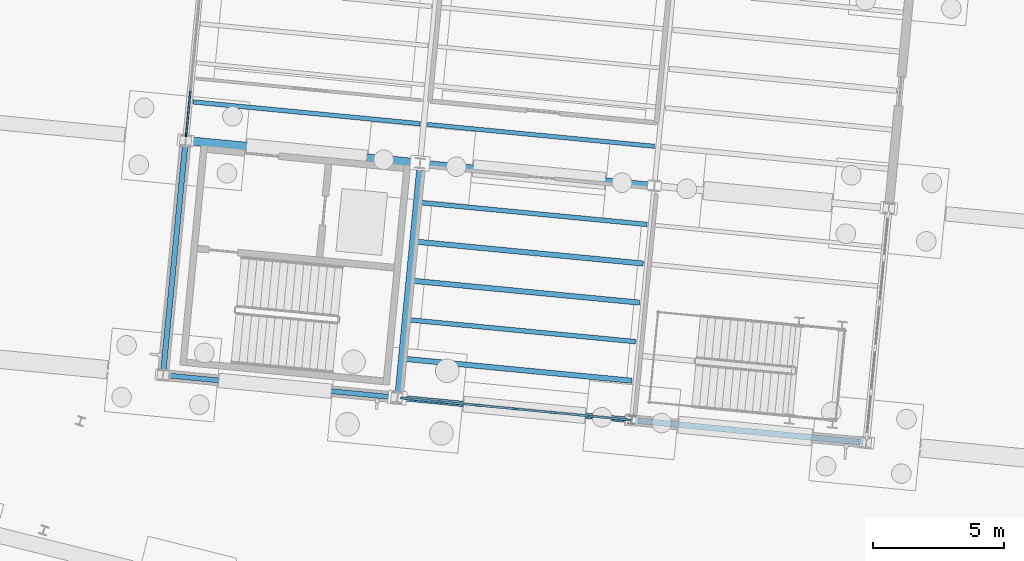
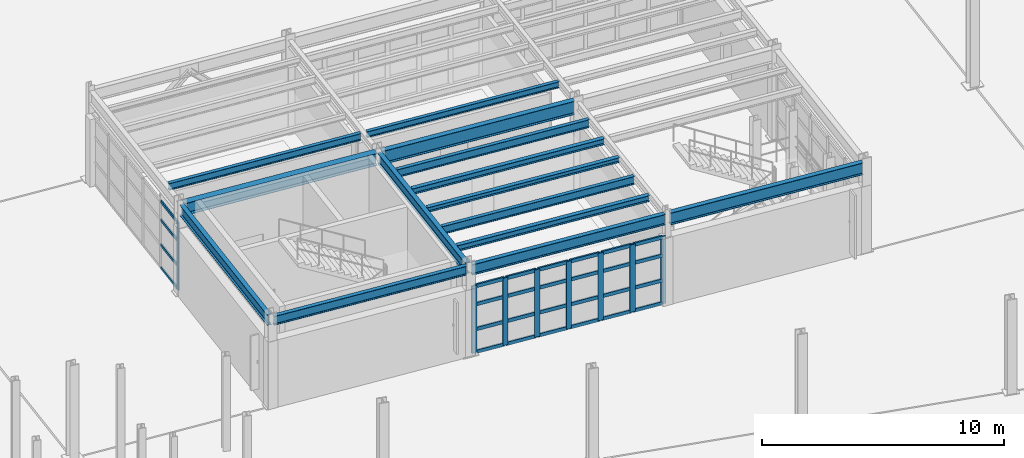
# One storey, part 48 of 108: 36 members, 14 beams, 2 elements without a shape of their own.
"""IFC4 building model written with IfcOpenShell, lengths in metres."""

from ifc_helpers import new_model, si_unit, direction, frame, origin, origin_2d, place, context, subcontext, project, spatial, rectangle, i_section, extrude, material, layer, layer_set, material_profile, profile_set, type_object, element, aggregate, save


model = new_model("IFC4")

# Units and contexts
model_context = context("Model", 3, precision=1e-05, world=origin(), true_north=direction((0.0, 1.0)))
body_context = subcontext(model_context, "Body", "Model", "MODEL_VIEW")
ifc_project = project(units=[si_unit("LENGTHUNIT", "METRE"), si_unit("AREAUNIT", "SQUARE_METRE"), si_unit("VOLUMEUNIT", "CUBIC_METRE"), si_unit("PLANEANGLEUNIT", "RADIAN"), si_unit("MASSUNIT", "GRAM", prefix="KILO")], contexts=[model_context])

# Site, building, storey
site_placement = place(None, origin())
site = spatial("IfcSite", under=ifc_project, at=site_placement, CompositionType="ELEMENT")
building_placement = place(site_placement, origin())
building = spatial("IfcBuilding", under=site, at=building_placement, Name="Vireo Bluff Cable Station", CompositionType="ELEMENT")
storey_placement = place(building_placement, origin())
storey = spatial("IfcBuildingStorey", under=building, at=storey_placement, Name="L00", CompositionType="ELEMENT", Elevation=0.0)

# Beam
ifc_material_1 = material(Name="Steel ASTM A992 Gr. 50", Category="steel")
ifc_material_profile_1 = material_profile(ifc_material_1, i_section(OverallWidth=0.214111328125, OverallDepth=0.549072265625, WebThickness=0.0146484375, FlangeThickness=0.023681640625, FilletRadius=0.012939453125, at=origin_2d()), Name="W21X93")
ifc_profile_set_1 = profile_set([ifc_material_profile_1], Name="Steel ASTM A992 Gr. 50")
beam_type_1 = type_object("IfcBeamType", Name="BM-W21X93", PredefinedType="BEAM", material=ifc_profile_set_1)
beam_1_placement = place(storey_placement, frame((76.708251953125, 66.2607421875, 4.265380859375), z_axis=(0.095844105487, 0.995396356957, 0.0), x_axis=(-0.995396356957, 0.095844105487, 0.0)))
element("IfcBeam", 1, at=beam_1_placement, inside=storey, type_object=beam_type_1, Name="V3 L00 beam 615", PredefinedType="BEAM", context=body_context, shape_type="SweptSolid", body=[
    extrude(i_section(OverallWidth=0.214111328125, OverallDepth=0.549072265625, WebThickness=0.0146484375, FlangeThickness=0.023681640625, FilletRadius=0.012939453125, at=origin_2d()), origin(), (0.0, 0.0, 1.0), 8.760009765625),
])

# Curtain wall, member
ifc_material_2 = material(Name="Anodized Aluminium 6063-T6", Category="aluminium")
ifc_layer_1 = layer(ifc_material_2, 0.179931640625, Name="Anodized Aluminium 6063-T6")
ifc_layer_set_1 = layer_set([ifc_layer_1], Name="Anodized Aluminium 6063-T6")
curtain_wall_type_1 = type_object("IfcCurtainWallType", Name="CW-UNIT-1650", PredefinedType="USERDEFINED", material=ifc_layer_set_1)
curtain_wall_1_placement = place(storey_placement, origin())
curtain_wall_1 = element("IfcCurtainWall", 2, at=curtain_wall_1_placement, inside=storey, type_object=curtain_wall_type_1, Name="V3 L00 west curtain wall CW-068", ObjectType="UNITISED CURTAIN WALL", PredefinedType="USERDEFINED")
ifc_material_profile_2 = material_profile(ifc_material_2, rectangle(XDim=0.06494140625, YDim=0.179931640625, at=origin_2d()), Name="ALU-M-65X180")
ifc_profile_set_2 = profile_set([ifc_material_profile_2], Name="Anodized Aluminium 6063-T6")
member_type_1 = type_object("IfcMemberType", Name="CWM-01", PredefinedType="MULLION", material=ifc_profile_set_2)
member_1_placement = place(storey_placement, frame((68.6240234375, 76.204345703125, 0.0), z_axis=(0.0, 0.0, 1.0), x_axis=(-0.995396199521, 0.095845740533, 0.0)))
member_1 = element("IfcMember", 3, at=member_1_placement, type_object=member_type_1, Name="CW-068 mullion 1", PredefinedType="MULLION", context=body_context, shape_type="SweptSolid", body=[
    extrude(rectangle(XDim=0.06494140625, YDim=0.179931640625, at=origin_2d()), origin(), (0.0, 0.0, 1.0), 3.39990234375),
])

# Curtain wall, members
ifc_layer_2 = layer(ifc_material_2, 0.179931640625, Name="Anodized Aluminium 6063-T6")
ifc_layer_set_2 = layer_set([ifc_layer_2], Name="Anodized Aluminium 6063-T6")
curtain_wall_type_2 = type_object("IfcCurtainWallType", Name="CW-UNIT-1500", PredefinedType="USERDEFINED", material=ifc_layer_set_2)
curtain_wall_2_placement = place(storey_placement, origin())
curtain_wall_2 = element("IfcCurtainWall", 4, at=curtain_wall_2_placement, inside=storey, type_object=curtain_wall_type_2, Name="V3 L00 south curtain wall CW-067", ObjectType="UNITISED CURTAIN WALL", PredefinedType="USERDEFINED")
ifc_material_profile_3 = material_profile(ifc_material_2, rectangle(XDim=0.080078125, YDim=0.239990234375, at=origin_2d()), Name="ALU-M-80X240")
ifc_profile_set_3 = profile_set([ifc_material_profile_3], Name="Anodized Aluminium 6063-T6")
member_type_2 = type_object("IfcMemberType", Name="CWM-04", PredefinedType="MULLION", material=ifc_profile_set_3)
member_2_placement = place(storey_placement, frame((85.487060546875, 65.294921875, 0.0), z_axis=(0.0, 0.0, 1.0), x_axis=(-0.09584572422, -0.995396201092, 0.0)))
member_2 = element("IfcMember", 5, at=member_2_placement, type_object=member_type_2, Name="CW-067 mullion 1", PredefinedType="MULLION", context=body_context, shape_type="SweptSolid", body=[
    extrude(rectangle(XDim=0.080078125, YDim=0.239990234375, at=origin_2d()), origin(), (0.0, 0.0, 1.0), 3.39990234375),
])
member_3_placement = place(storey_placement, frame((84.089111328125, 65.429443359375, 0.0), z_axis=(0.0, 0.0, 1.0), x_axis=(-0.09584572422, -0.995396201092, 0.0)))
member_3 = element("IfcMember", 6, at=member_3_placement, type_object=member_type_2, Name="CW-067 mullion 2", PredefinedType="MULLION", context=body_context, shape_type="SweptSolid", body=[
    extrude(rectangle(XDim=0.080078125, YDim=0.239990234375, at=origin_2d()), origin(), (0.0, 0.0, 1.0), 3.39990234375),
])
member_4_placement = place(storey_placement, frame((82.6513671875, 65.56787109375, 0.0), z_axis=(0.0, 0.0, 1.0), x_axis=(-0.09584572422, -0.995396201092, 0.0)))
member_4 = element("IfcMember", 7, at=member_4_placement, type_object=member_type_2, Name="CW-067 mullion 3", PredefinedType="MULLION", context=body_context, shape_type="SweptSolid", body=[
    extrude(rectangle(XDim=0.080078125, YDim=0.239990234375, at=origin_2d()), origin(), (0.0, 0.0, 1.0), 3.39990234375),
])
member_5_placement = place(storey_placement, frame((81.2138671875, 65.706298828125, 0.0), z_axis=(0.0, 0.0, 1.0), x_axis=(-0.09584572422, -0.995396201092, 0.0)))
member_5 = element("IfcMember", 8, at=member_5_placement, type_object=member_type_2, Name="CW-067 mullion 4", PredefinedType="MULLION", context=body_context, shape_type="SweptSolid", body=[
    extrude(rectangle(XDim=0.080078125, YDim=0.239990234375, at=origin_2d()), origin(), (0.0, 0.0, 1.0), 3.39990234375),
])
member_6_placement = place(storey_placement, frame((79.776123046875, 65.8447265625, 0.0), z_axis=(0.0, 0.0, 1.0), x_axis=(-0.09584572422, -0.995396201092, 0.0)))
member_6 = element("IfcMember", 9, at=member_6_placement, type_object=member_type_2, Name="CW-067 mullion 5", PredefinedType="MULLION", context=body_context, shape_type="SweptSolid", body=[
    extrude(rectangle(XDim=0.080078125, YDim=0.239990234375, at=origin_2d()), origin(), (0.0, 0.0, 1.0), 3.39990234375),
])
member_7_placement = place(storey_placement, frame((78.33837890625, 65.983154296875, 0.0), z_axis=(0.0, 0.0, 1.0), x_axis=(-0.09584572422, -0.995396201092, 0.0)))
member_7 = element("IfcMember", 10, at=member_7_placement, type_object=member_type_2, Name="CW-067 mullion 6", PredefinedType="MULLION", context=body_context, shape_type="SweptSolid", body=[
    extrude(rectangle(XDim=0.080078125, YDim=0.239990234375, at=origin_2d()), origin(), (0.0, 0.0, 1.0), 3.39990234375),
])
member_8_placement = place(storey_placement, frame((76.9404296875, 66.11767578125, 0.0), z_axis=(0.0, 0.0, 1.0), x_axis=(-0.09584572422, -0.995396201092, 0.0)))
member_8 = element("IfcMember", 11, at=member_8_placement, type_object=member_type_2, Name="CW-067 mullion 7", PredefinedType="MULLION", context=body_context, shape_type="SweptSolid", body=[
    extrude(rectangle(XDim=0.080078125, YDim=0.239990234375, at=origin_2d()), origin(), (0.0, 0.0, 1.0), 3.39990234375),
])

# Member
ifc_material_profile_4 = material_profile(ifc_material_2, rectangle(XDim=0.06494140625, YDim=0.139892578125, at=origin_2d()), Name="ALU-T-65X140")
ifc_profile_set_4 = profile_set([ifc_material_profile_4], Name="Anodized Aluminium 6063-T6")
member_type_3 = type_object("IfcMemberType", Name="CWT-01", PredefinedType="USERDEFINED", material=ifc_profile_set_4)
member_9_placement = place(storey_placement, frame((68.627197265625, 76.236572265625, 0.032470703125), z_axis=(0.095735244762, 0.995406832863, 0.0), x_axis=(-0.995406832863, 0.095735244762, 0.0)))
member_9 = element("IfcMember", 12, at=member_9_placement, type_object=member_type_3, Name="CW-068 transom 1.1", ObjectType="TRANSOM", PredefinedType="USERDEFINED", context=body_context, shape_type="SweptSolid", body=[
    extrude(rectangle(XDim=0.06494140625, YDim=0.139892578125, at=origin_2d()), origin(), (0.0, 0.0, 1.0), 1.629638671875),
])

member_10_placement = place(storey_placement, frame((68.627197265625, 76.236572265625, 1.18994140625), z_axis=(0.095735244762, 0.995406832863, 0.0), x_axis=(-0.995406832863, 0.095735244762, 0.0)))
member_10 = element("IfcMember", 13, at=member_10_placement, type_object=member_type_3, Name="CW-068 transom 1.2", ObjectType="TRANSOM", PredefinedType="USERDEFINED", context=body_context, shape_type="SweptSolid", body=[
    extrude(rectangle(XDim=0.06494140625, YDim=0.139892578125, at=origin_2d()), origin(), (0.0, 0.0, 1.0), 1.629638671875),
])

member_11_placement = place(storey_placement, frame((68.627197265625, 76.236572265625, 2.447998046875), z_axis=(0.095735244762, 0.995406832863, 0.0), x_axis=(-0.995406832863, 0.095735244762, 0.0)))
member_11 = element("IfcMember", 14, at=member_11_placement, type_object=member_type_3, Name="CW-068 transom 1.3", ObjectType="TRANSOM", PredefinedType="USERDEFINED", context=body_context, shape_type="SweptSolid", body=[
    extrude(rectangle(XDim=0.06494140625, YDim=0.139892578125, at=origin_2d()), origin(), (0.0, 0.0, 1.0), 1.629638671875),
])

member_12_placement = place(storey_placement, frame((68.627197265625, 76.236572265625, 3.367431640625), z_axis=(0.095735244762, 0.995406832863, 0.0), x_axis=(-0.995406832863, 0.095735244762, 0.0)))
member_12 = element("IfcMember", 15, at=member_12_placement, type_object=member_type_3, Name="CW-068 transom 1.4", ObjectType="TRANSOM", PredefinedType="USERDEFINED", context=body_context, shape_type="SweptSolid", body=[
    extrude(rectangle(XDim=0.06494140625, YDim=0.139892578125, at=origin_2d()), origin(), (0.0, 0.0, 1.0), 1.629638671875),
])

aggregate(curtain_wall_1, [member_1, member_9, member_10, member_11, member_12])

ifc_material_profile_5 = material_profile(ifc_material_2, rectangle(XDim=0.080078125, YDim=0.175048828125, at=origin_2d()), Name="ALU-T-80X175")
ifc_profile_set_5 = profile_set([ifc_material_profile_5], Name="Anodized Aluminium 6063-T6")
member_type_4 = type_object("IfcMemberType", Name="CWT-04", PredefinedType="USERDEFINED", material=ifc_profile_set_5)
member_13_placement = place(storey_placement, frame((85.447265625, 65.298583984375, 0.0400390625), z_axis=(-0.995395510024, 0.095852900965, 0.0), x_axis=(-0.095852900965, -0.995395510024, 0.0)))
member_13 = element("IfcMember", 16, at=member_13_placement, type_object=member_type_4, Name="CW-067 transom 1.1", ObjectType="TRANSOM", PredefinedType="USERDEFINED", context=body_context, shape_type="SweptSolid", body=[
    extrude(rectangle(XDim=0.080078125, YDim=0.175048828125, at=origin_2d()), origin(), (0.0, 0.0, 1.0), 1.324462890625),
])

member_14_placement = place(storey_placement, frame((85.447265625, 65.298583984375, 1.18994140625), z_axis=(-0.995395510024, 0.095852900965, 0.0), x_axis=(-0.095852900965, -0.995395510024, 0.0)))
member_14 = element("IfcMember", 17, at=member_14_placement, type_object=member_type_4, Name="CW-067 transom 1.2", ObjectType="TRANSOM", PredefinedType="USERDEFINED", context=body_context, shape_type="SweptSolid", body=[
    extrude(rectangle(XDim=0.080078125, YDim=0.175048828125, at=origin_2d()), origin(), (0.0, 0.0, 1.0), 1.324462890625),
])

member_15_placement = place(storey_placement, frame((85.447265625, 65.298583984375, 2.447998046875), z_axis=(-0.995395510024, 0.095852900965, 0.0), x_axis=(-0.095852900965, -0.995395510024, 0.0)))
member_15 = element("IfcMember", 18, at=member_15_placement, type_object=member_type_4, Name="CW-067 transom 1.3", ObjectType="TRANSOM", PredefinedType="USERDEFINED", context=body_context, shape_type="SweptSolid", body=[
    extrude(rectangle(XDim=0.080078125, YDim=0.175048828125, at=origin_2d()), origin(), (0.0, 0.0, 1.0), 1.324462890625),
])

member_16_placement = place(storey_placement, frame((85.447265625, 65.298583984375, 3.360107421875), z_axis=(-0.995395510024, 0.095852900965, 0.0), x_axis=(-0.095852900965, -0.995395510024, 0.0)))
member_16 = element("IfcMember", 19, at=member_16_placement, type_object=member_type_4, Name="CW-067 transom 1.4", ObjectType="TRANSOM", PredefinedType="USERDEFINED", context=body_context, shape_type="SweptSolid", body=[
    extrude(rectangle(XDim=0.080078125, YDim=0.175048828125, at=origin_2d()), origin(), (0.0, 0.0, 1.0), 1.324462890625),
])

member_17_placement = place(storey_placement, frame((84.04931640625, 65.433349609375, 0.0400390625), z_axis=(-0.995407389768, 0.095729454166, 0.0), x_axis=(-0.095729454166, -0.995407389768, 0.0)))
member_17 = element("IfcMember", 20, at=member_17_placement, type_object=member_type_4, Name="CW-067 transom 2.1", ObjectType="TRANSOM", PredefinedType="USERDEFINED", context=body_context, shape_type="SweptSolid", body=[
    extrude(rectangle(XDim=0.080078125, YDim=0.175048828125, at=origin_2d()), origin(), (0.0, 0.0, 1.0), 1.364501953125),
])

member_18_placement = place(storey_placement, frame((84.04931640625, 65.433349609375, 1.18994140625), z_axis=(-0.995407389768, 0.095729454166, 0.0), x_axis=(-0.095729454166, -0.995407389768, 0.0)))
member_18 = element("IfcMember", 21, at=member_18_placement, type_object=member_type_4, Name="CW-067 transom 2.2", ObjectType="TRANSOM", PredefinedType="USERDEFINED", context=body_context, shape_type="SweptSolid", body=[
    extrude(rectangle(XDim=0.080078125, YDim=0.175048828125, at=origin_2d()), origin(), (0.0, 0.0, 1.0), 1.364501953125),
])

member_19_placement = place(storey_placement, frame((84.04931640625, 65.433349609375, 2.447998046875), z_axis=(-0.995407389768, 0.095729454166, 0.0), x_axis=(-0.095729454166, -0.995407389768, 0.0)))
member_19 = element("IfcMember", 22, at=member_19_placement, type_object=member_type_4, Name="CW-067 transom 2.3", ObjectType="TRANSOM", PredefinedType="USERDEFINED", context=body_context, shape_type="SweptSolid", body=[
    extrude(rectangle(XDim=0.080078125, YDim=0.175048828125, at=origin_2d()), origin(), (0.0, 0.0, 1.0), 1.364501953125),
])

member_20_placement = place(storey_placement, frame((84.04931640625, 65.433349609375, 3.360107421875), z_axis=(-0.995407389768, 0.095729454166, 0.0), x_axis=(-0.095729454166, -0.995407389768, 0.0)))
member_20 = element("IfcMember", 23, at=member_20_placement, type_object=member_type_4, Name="CW-067 transom 2.4", ObjectType="TRANSOM", PredefinedType="USERDEFINED", context=body_context, shape_type="SweptSolid", body=[
    extrude(rectangle(XDim=0.080078125, YDim=0.175048828125, at=origin_2d()), origin(), (0.0, 0.0, 1.0), 1.364501953125),
])

member_21_placement = place(storey_placement, frame((82.611572265625, 65.57177734375, 0.0400390625), z_axis=(-0.99540574956, 0.095746507734, 0.0), x_axis=(-0.095746507734, -0.99540574956, 0.0)))
member_21 = element("IfcMember", 24, at=member_21_placement, type_object=member_type_4, Name="CW-067 transom 3.1", ObjectType="TRANSOM", PredefinedType="USERDEFINED", context=body_context, shape_type="SweptSolid", body=[
    extrude(rectangle(XDim=0.080078125, YDim=0.175048828125, at=origin_2d()), origin(), (0.0, 0.0, 1.0), 1.3642578125),
])

member_22_placement = place(storey_placement, frame((82.611572265625, 65.57177734375, 1.18994140625), z_axis=(-0.99540574956, 0.095746507734, 0.0), x_axis=(-0.095746507734, -0.99540574956, 0.0)))
member_22 = element("IfcMember", 25, at=member_22_placement, type_object=member_type_4, Name="CW-067 transom 3.2", ObjectType="TRANSOM", PredefinedType="USERDEFINED", context=body_context, shape_type="SweptSolid", body=[
    extrude(rectangle(XDim=0.080078125, YDim=0.175048828125, at=origin_2d()), origin(), (0.0, 0.0, 1.0), 1.3642578125),
])

member_23_placement = place(storey_placement, frame((82.611572265625, 65.57177734375, 2.447998046875), z_axis=(-0.99540574956, 0.095746507734, 0.0), x_axis=(-0.095746507734, -0.99540574956, 0.0)))
member_23 = element("IfcMember", 26, at=member_23_placement, type_object=member_type_4, Name="CW-067 transom 3.3", ObjectType="TRANSOM", PredefinedType="USERDEFINED", context=body_context, shape_type="SweptSolid", body=[
    extrude(rectangle(XDim=0.080078125, YDim=0.175048828125, at=origin_2d()), origin(), (0.0, 0.0, 1.0), 1.3642578125),
])

member_24_placement = place(storey_placement, frame((82.611572265625, 65.57177734375, 3.360107421875), z_axis=(-0.99540574956, 0.095746507734, 0.0), x_axis=(-0.095746507734, -0.99540574956, 0.0)))
member_24 = element("IfcMember", 27, at=member_24_placement, type_object=member_type_4, Name="CW-067 transom 3.4", ObjectType="TRANSOM", PredefinedType="USERDEFINED", context=body_context, shape_type="SweptSolid", body=[
    extrude(rectangle(XDim=0.080078125, YDim=0.175048828125, at=origin_2d()), origin(), (0.0, 0.0, 1.0), 1.3642578125),
])

member_25_placement = place(storey_placement, frame((81.174072265625, 65.710205078125, 0.0400390625), z_axis=(-0.995407389768, 0.095729454166, 0.0), x_axis=(-0.095729454166, -0.995407389768, 0.0)))
member_25 = element("IfcMember", 28, at=member_25_placement, type_object=member_type_4, Name="CW-067 transom 4.1", ObjectType="TRANSOM", PredefinedType="USERDEFINED", context=body_context, shape_type="SweptSolid", body=[
    extrude(rectangle(XDim=0.080078125, YDim=0.175048828125, at=origin_2d()), origin(), (0.0, 0.0, 1.0), 1.364501953125),
])

member_26_placement = place(storey_placement, frame((81.174072265625, 65.710205078125, 1.18994140625), z_axis=(-0.995407389768, 0.095729454166, 0.0), x_axis=(-0.095729454166, -0.995407389768, 0.0)))
member_26 = element("IfcMember", 29, at=member_26_placement, type_object=member_type_4, Name="CW-067 transom 4.2", ObjectType="TRANSOM", PredefinedType="USERDEFINED", context=body_context, shape_type="SweptSolid", body=[
    extrude(rectangle(XDim=0.080078125, YDim=0.175048828125, at=origin_2d()), origin(), (0.0, 0.0, 1.0), 1.364501953125),
])

member_27_placement = place(storey_placement, frame((81.174072265625, 65.710205078125, 2.447998046875), z_axis=(-0.995407389768, 0.095729454166, 0.0), x_axis=(-0.095729454166, -0.995407389768, 0.0)))
member_27 = element("IfcMember", 30, at=member_27_placement, type_object=member_type_4, Name="CW-067 transom 4.3", ObjectType="TRANSOM", PredefinedType="USERDEFINED", context=body_context, shape_type="SweptSolid", body=[
    extrude(rectangle(XDim=0.080078125, YDim=0.175048828125, at=origin_2d()), origin(), (0.0, 0.0, 1.0), 1.364501953125),
])

member_28_placement = place(storey_placement, frame((81.174072265625, 65.710205078125, 3.360107421875), z_axis=(-0.995407389768, 0.095729454166, 0.0), x_axis=(-0.095729454166, -0.995407389768, 0.0)))
member_28 = element("IfcMember", 31, at=member_28_placement, type_object=member_type_4, Name="CW-067 transom 4.4", ObjectType="TRANSOM", PredefinedType="USERDEFINED", context=body_context, shape_type="SweptSolid", body=[
    extrude(rectangle(XDim=0.080078125, YDim=0.175048828125, at=origin_2d()), origin(), (0.0, 0.0, 1.0), 1.364501953125),
])

member_29_placement = place(storey_placement, frame((79.736328125, 65.8486328125, 0.0400390625), z_axis=(-0.995407389768, 0.095729454166, 0.0), x_axis=(-0.095729454166, -0.995407389768, 0.0)))
member_29 = element("IfcMember", 32, at=member_29_placement, type_object=member_type_4, Name="CW-067 transom 5.1", ObjectType="TRANSOM", PredefinedType="USERDEFINED", context=body_context, shape_type="SweptSolid", body=[
    extrude(rectangle(XDim=0.080078125, YDim=0.175048828125, at=origin_2d()), origin(), (0.0, 0.0, 1.0), 1.364501953125),
])

member_30_placement = place(storey_placement, frame((79.736328125, 65.8486328125, 1.18994140625), z_axis=(-0.995407389768, 0.095729454166, 0.0), x_axis=(-0.095729454166, -0.995407389768, 0.0)))
member_30 = element("IfcMember", 33, at=member_30_placement, type_object=member_type_4, Name="CW-067 transom 5.2", ObjectType="TRANSOM", PredefinedType="USERDEFINED", context=body_context, shape_type="SweptSolid", body=[
    extrude(rectangle(XDim=0.080078125, YDim=0.175048828125, at=origin_2d()), origin(), (0.0, 0.0, 1.0), 1.364501953125),
])

member_31_placement = place(storey_placement, frame((79.736328125, 65.8486328125, 2.447998046875), z_axis=(-0.995407389768, 0.095729454166, 0.0), x_axis=(-0.095729454166, -0.995407389768, 0.0)))
member_31 = element("IfcMember", 34, at=member_31_placement, type_object=member_type_4, Name="CW-067 transom 5.3", ObjectType="TRANSOM", PredefinedType="USERDEFINED", context=body_context, shape_type="SweptSolid", body=[
    extrude(rectangle(XDim=0.080078125, YDim=0.175048828125, at=origin_2d()), origin(), (0.0, 0.0, 1.0), 1.364501953125),
])

member_32_placement = place(storey_placement, frame((79.736328125, 65.8486328125, 3.360107421875), z_axis=(-0.995407389768, 0.095729454166, 0.0), x_axis=(-0.095729454166, -0.995407389768, 0.0)))
member_32 = element("IfcMember", 35, at=member_32_placement, type_object=member_type_4, Name="CW-067 transom 5.4", ObjectType="TRANSOM", PredefinedType="USERDEFINED", context=body_context, shape_type="SweptSolid", body=[
    extrude(rectangle(XDim=0.080078125, YDim=0.175048828125, at=origin_2d()), origin(), (0.0, 0.0, 1.0), 1.364501953125),
])

member_33_placement = place(storey_placement, frame((78.298583984375, 65.987060546875, 0.0400390625), z_axis=(-0.995393815952, 0.095870491627, 0.0), x_axis=(-0.095870491627, -0.995393815952, 0.0)))
member_33 = element("IfcMember", 36, at=member_33_placement, type_object=member_type_4, Name="CW-067 transom 6.1", ObjectType="TRANSOM", PredefinedType="USERDEFINED", context=body_context, shape_type="SweptSolid", body=[
    extrude(rectangle(XDim=0.080078125, YDim=0.175048828125, at=origin_2d()), origin(), (0.0, 0.0, 1.0), 1.32421875),
])

member_34_placement = place(storey_placement, frame((78.298583984375, 65.987060546875, 1.18994140625), z_axis=(-0.995393815952, 0.095870491627, 0.0), x_axis=(-0.095870491627, -0.995393815952, 0.0)))
member_34 = element("IfcMember", 37, at=member_34_placement, type_object=member_type_4, Name="CW-067 transom 6.2", ObjectType="TRANSOM", PredefinedType="USERDEFINED", context=body_context, shape_type="SweptSolid", body=[
    extrude(rectangle(XDim=0.080078125, YDim=0.175048828125, at=origin_2d()), origin(), (0.0, 0.0, 1.0), 1.32421875),
])

member_35_placement = place(storey_placement, frame((78.298583984375, 65.987060546875, 2.447998046875), z_axis=(-0.995393815952, 0.095870491627, 0.0), x_axis=(-0.095870491627, -0.995393815952, 0.0)))
member_35 = element("IfcMember", 38, at=member_35_placement, type_object=member_type_4, Name="CW-067 transom 6.3", ObjectType="TRANSOM", PredefinedType="USERDEFINED", context=body_context, shape_type="SweptSolid", body=[
    extrude(rectangle(XDim=0.080078125, YDim=0.175048828125, at=origin_2d()), origin(), (0.0, 0.0, 1.0), 1.32421875),
])

member_36_placement = place(storey_placement, frame((78.298583984375, 65.987060546875, 3.360107421875), z_axis=(-0.995393815952, 0.095870491627, 0.0), x_axis=(-0.095870491627, -0.995393815952, 0.0)))
member_36 = element("IfcMember", 39, at=member_36_placement, type_object=member_type_4, Name="CW-067 transom 6.4", ObjectType="TRANSOM", PredefinedType="USERDEFINED", context=body_context, shape_type="SweptSolid", body=[
    extrude(rectangle(XDim=0.080078125, YDim=0.175048828125, at=origin_2d()), origin(), (0.0, 0.0, 1.0), 1.32421875),
])

aggregate(curtain_wall_2, [member_2, member_3, member_4, member_5, member_6, member_7, member_8, member_13, member_14, member_15, member_16, member_17, member_18, member_19, member_20, member_21, member_22, member_23, member_24, member_25, member_26, member_27, member_28, member_29, member_30, member_31, member_32, member_33, member_34, member_35, member_36])

# Beams
ifc_material_profile_6 = material_profile(ifc_material_1, i_section(OverallWidth=0.324951171875, OverallDepth=0.612060546875, WebThickness=0.0126953125, FlangeThickness=0.01904296875, FilletRadius=0.012939453125, at=origin_2d()), Name="W24X104")
ifc_profile_set_6 = profile_set([ifc_material_profile_6], Name="Steel ASTM A992 Gr. 50")
beam_type_2 = type_object("IfcBeamType", Name="GIR-W24X104", PredefinedType="USERDEFINED", material=ifc_profile_set_6)
beam_2_placement = place(storey_placement, frame((68.72021484375, 75.950927734375, 4.23388671875), z_axis=(0.995396356957, -0.095844105487, 0.0), x_axis=(0.095844105487, 0.995396356957, 0.0)))
element("IfcBeam", 40, at=beam_2_placement, inside=storey, type_object=beam_type_2, Name="V3 L00 girder 607", ObjectType="GIRDER", PredefinedType="USERDEFINED", context=body_context, shape_type="SweptSolid", body=[
    extrude(i_section(OverallWidth=0.324951171875, OverallDepth=0.612060546875, WebThickness=0.0126953125, FlangeThickness=0.01904296875, FilletRadius=0.012939453125, at=origin_2d()), origin(), (0.0, 0.0, 1.0), 8.760009765625),
])
ifc_material_profile_7 = material_profile(ifc_material_1, i_section(OverallWidth=0.2529296875, OverallDepth=0.677978515625, WebThickness=0.01171875, FlangeThickness=0.016357421875, FilletRadius=0.014892578125, at=origin_2d()), Name="W27X84")
ifc_profile_set_7 = profile_set([ifc_material_profile_7], Name="Steel ASTM A992 Gr. 50")
beam_type_3 = type_object("IfcBeamType", Name="GIR-W27X84", PredefinedType="USERDEFINED", material=ifc_profile_set_7)
beam_3_placement = place(storey_placement, frame((77.6787109375, 75.08837890625, 4.200927734375), z_axis=(0.995396356957, -0.095844105487, 0.0), x_axis=(0.095844105487, 0.995396356957, 0.0)))
element("IfcBeam", 41, at=beam_3_placement, inside=storey, type_object=beam_type_3, Name="V3 L00 girder 608", ObjectType="GIRDER", PredefinedType="USERDEFINED", context=body_context, shape_type="SweptSolid", body=[
    extrude(i_section(OverallWidth=0.2529296875, OverallDepth=0.677978515625, WebThickness=0.01171875, FlangeThickness=0.016357421875, FilletRadius=0.014892578125, at=origin_2d()), origin(), (0.0, 0.0, 1.0), 8.760009765625),
])
ifc_material_profile_8 = material_profile(ifc_material_1, i_section(OverallWidth=0.201904296875, OverallDepth=0.2470703125, WebThickness=0.00732421875, FlangeThickness=0.010986328125, FilletRadius=0.009033203125, at=origin_2d()), Name="W10X33")
ifc_profile_set_8 = profile_set([ifc_material_profile_8], Name="Steel ASTM A992 Gr. 50")
beam_type_4 = type_object("IfcBeamType", Name="JST-W10X33", PredefinedType="JOIST", material=ifc_profile_set_8)
beam_4_placement = place(storey_placement, frame((77.267333984375, 70.607177734375, 4.41650390625), z_axis=(0.995394500818, -0.095863380609, 0.0), x_axis=(0.095863380609, 0.995394500818, 0.0)))
element("IfcBeam", 42, at=beam_4_placement, inside=storey, type_object=beam_type_4, Name="V3 L00 composite joist 628", PredefinedType="JOIST", context=body_context, shape_type="SweptSolid", body=[
    extrude(i_section(OverallWidth=0.201904296875, OverallDepth=0.2470703125, WebThickness=0.00732421875, FlangeThickness=0.010986328125, FilletRadius=0.009033203125, at=origin_2d()), origin(), (0.0, 0.0, 1.0), 8.719970703125),
])
ifc_material_profile_9 = material_profile(ifc_material_1, i_section(OverallWidth=0.1650390625, OverallDepth=0.31005859375, WebThickness=0.005859375, FlangeThickness=0.009765625, FilletRadius=0.010009765625, at=origin_2d()), Name="W12X26")
ifc_profile_set_9 = profile_set([ifc_material_profile_9], Name="Steel ASTM A992 Gr. 50")
beam_type_5 = type_object("IfcBeamType", Name="JST-W12X26", PredefinedType="JOIST", material=ifc_profile_set_9)
beam_5_placement = place(storey_placement, frame((77.84228515625, 76.57958984375, 4.385009765625), z_axis=(0.995394500818, -0.095863380609, 0.0), x_axis=(0.095863380609, 0.995394500818, 0.0)))
element("IfcBeam", 43, at=beam_5_placement, inside=storey, type_object=beam_type_5, Name="V3 L00 composite joist 631", PredefinedType="JOIST", context=body_context, shape_type="SweptSolid", body=[
    extrude(i_section(OverallWidth=0.1650390625, OverallDepth=0.31005859375, WebThickness=0.005859375, FlangeThickness=0.009765625, FilletRadius=0.010009765625, at=origin_2d()), origin(), (0.0, 0.0, 1.0), 8.719970703125),
])
ifc_material_profile_10 = material_profile(ifc_material_1, i_section(OverallWidth=0.202880859375, OverallDepth=0.302978515625, WebThickness=0.007568359375, FlangeThickness=0.01318359375, FilletRadius=0.010009765625, at=origin_2d()), Name="W12X40")
ifc_profile_set_10 = profile_set([ifc_material_profile_10], Name="Steel ASTM A992 Gr. 50")
beam_type_6 = type_object("IfcBeamType", Name="JST-W12X40", PredefinedType="JOIST", material=ifc_profile_set_10)
for number, where, z_axis, x_axis, name in (
    (44, (76.979736328125, 67.620849609375, 4.388427734375), (0.995397172011, -0.095835640306, 0.0), (0.095835640306, 0.995397172011, 0.0), "V3 L00 composite joist 626"),
    (45, (77.4111328125, 72.100341796875, 4.388427734375), (0.995394500818, -0.095863380609, 0.0), (0.095863380609, 0.995394500818, 0.0), "V3 L00 composite joist 629"),
):
    element("IfcBeam", number, at=place(storey_placement, frame(where, z_axis=z_axis, x_axis=x_axis)), inside=storey, type_object=beam_type_6, Name=name, PredefinedType="JOIST", context=body_context, shape_type="SweptSolid", body=[
        extrude(i_section(OverallWidth=0.202880859375, OverallDepth=0.302978515625, WebThickness=0.007568359375, FlangeThickness=0.01318359375, FilletRadius=0.010009765625, at=origin_2d()), origin(), (0.0, 0.0, 1.0), 8.719970703125),
    ])
ifc_material_profile_11 = material_profile(ifc_material_1, i_section(OverallWidth=0.1708984375, OverallDepth=0.35107421875, WebThickness=0.0068359375, FlangeThickness=0.009765625, FilletRadius=0.010009765625, at=origin_2d()), Name="W14X30")
ifc_profile_set_11 = profile_set([ifc_material_profile_11], Name="Steel ASTM A992 Gr. 50")
beam_type_7 = type_object("IfcBeamType", Name="JST-W14X30", PredefinedType="JOIST", material=ifc_profile_set_11)
beam_6_placement = place(storey_placement, frame((68.8837890625, 77.442138671875, 4.364501953125), z_axis=(0.995397172011, -0.095835640306, 0.0), x_axis=(0.095835640306, 0.995397172011, 0.0)))
element("IfcBeam", 46, at=beam_6_placement, inside=storey, type_object=beam_type_7, Name="V3 L00 composite joist 621", PredefinedType="JOIST", context=body_context, shape_type="SweptSolid", body=[
    extrude(i_section(OverallWidth=0.1708984375, OverallDepth=0.35107421875, WebThickness=0.0068359375, FlangeThickness=0.009765625, FilletRadius=0.010009765625, at=origin_2d()), origin(), (0.0, 0.0, 1.0), 8.719970703125),
])
ifc_material_profile_12 = material_profile(ifc_material_1, i_section(OverallWidth=0.177978515625, OverallDepth=0.404052734375, WebThickness=0.007568359375, FlangeThickness=0.010986328125, FilletRadius=0.010009765625, at=origin_2d()), Name="W16X36")
ifc_profile_set_12 = profile_set([ifc_material_profile_12], Name="Steel ASTM A992 Gr. 50")
beam_type_8 = type_object("IfcBeamType", Name="JST-W16X36", PredefinedType="JOIST", material=ifc_profile_set_12)
beam_7_placement = place(storey_placement, frame((77.12353515625, 69.114013671875, 4.337890625), z_axis=(0.995397172011, -0.095835640306, 0.0), x_axis=(0.095835640306, 0.995397172011, 0.0)))
element("IfcBeam", 47, at=beam_7_placement, inside=storey, type_object=beam_type_8, Name="V3 L00 composite joist 627", PredefinedType="JOIST", context=body_context, shape_type="SweptSolid", body=[
    extrude(i_section(OverallWidth=0.177978515625, OverallDepth=0.404052734375, WebThickness=0.007568359375, FlangeThickness=0.010986328125, FilletRadius=0.010009765625, at=origin_2d()), origin(), (0.0, 0.0, 1.0), 8.719970703125),
])
beam_8_placement = place(storey_placement, frame((77.554931640625, 73.59326171875, 4.337890625), z_axis=(0.995396914857, -0.095838311194, 0.0), x_axis=(0.095838311194, 0.995396914857, 0.0)))
element("IfcBeam", 48, at=beam_8_placement, inside=storey, type_object=beam_type_8, Name="V3 L00 composite joist 630", PredefinedType="JOIST", context=body_context, shape_type="SweptSolid", body=[
    extrude(i_section(OverallWidth=0.177978515625, OverallDepth=0.404052734375, WebThickness=0.007568359375, FlangeThickness=0.010986328125, FilletRadius=0.010009765625, at=origin_2d()), origin(), (0.0, 0.0, 1.0), 8.7197265625),
])
ifc_material_profile_13 = material_profile(ifc_material_1, i_section(OverallWidth=0.19091796875, OverallDepth=0.45703125, WebThickness=0.009033203125, FlangeThickness=0.014404296875, FilletRadius=0.011962890625, at=origin_2d()), Name="W18X50")
ifc_profile_set_13 = profile_set([ifc_material_profile_13], Name="Steel ASTM A992 Gr. 50")
beam_type_9 = type_object("IfcBeamType", Name="SPN-W18X50", PredefinedType="SPANDREL", material=ifc_profile_set_13)
beam_9_placement = place(storey_placement, frame((67.857421875, 66.992431640625, 4.3115234375), z_axis=(0.995396356957, -0.095844105487, 0.0), x_axis=(0.095844105487, 0.995396356957, 0.0)))
element("IfcBeam", 49, at=beam_9_placement, inside=storey, type_object=beam_type_9, Name="V3 L00 spandrel 604", PredefinedType="SPANDREL", context=body_context, shape_type="SweptSolid", body=[
    extrude(i_section(OverallWidth=0.19091796875, OverallDepth=0.45703125, WebThickness=0.009033203125, FlangeThickness=0.014404296875, FilletRadius=0.011962890625, at=origin_2d()), origin(), (0.0, 0.0, 1.0), 8.760009765625),
])
ifc_material_profile_14 = material_profile(ifc_material_1, i_section(OverallWidth=0.2099609375, OverallDepth=0.535888671875, WebThickness=0.010986328125, FlangeThickness=0.017333984375, FilletRadius=0.012939453125, at=origin_2d()), Name="W21X68")
ifc_profile_set_14 = profile_set([ifc_material_profile_14], Name="Steel ASTM A992 Gr. 50")
beam_type_10 = type_object("IfcBeamType", Name="SPN-W21X68", PredefinedType="SPANDREL", material=ifc_profile_set_14)
for number, where, z_axis, x_axis, name in (
    (50, (76.816162109375, 66.1298828125, 4.27197265625), (0.995393697726, -0.095871719122, 0.0), (0.095871719122, 0.995393697726, 0.0), "V3 L00 spandrel 605"),
    (51, (67.74951171875, 67.123291015625, 4.27197265625), (0.095844105487, 0.995396356957, 0.0), (-0.995396356957, 0.095844105487, 0.0), "V3 L00 spandrel 613"),
):
    element("IfcBeam", number, at=place(storey_placement, frame(where, z_axis=z_axis, x_axis=x_axis)), inside=storey, type_object=beam_type_10, Name=name, PredefinedType="SPANDREL", context=body_context, shape_type="SweptSolid", body=[
        extrude(i_section(OverallWidth=0.2099609375, OverallDepth=0.535888671875, WebThickness=0.010986328125, FlangeThickness=0.017333984375, FilletRadius=0.012939453125, at=origin_2d()), origin(), (0.0, 0.0, 1.0), 8.760009765625),
    ])
ifc_material_profile_15 = material_profile(ifc_material_1, i_section(OverallWidth=0.22802734375, OverallDepth=0.60693359375, WebThickness=0.01123046875, FlangeThickness=0.017333984375, FilletRadius=0.012939453125, at=origin_2d()), Name="W24X76")
ifc_profile_set_15 = profile_set([ifc_material_profile_15], Name="Steel ASTM A992 Gr. 50")
beam_type_11 = type_object("IfcBeamType", Name="SPN-W24X76", PredefinedType="SPANDREL", material=ifc_profile_set_15)
beam_10_placement = place(storey_placement, frame((85.774658203125, 65.26708984375, 4.236572265625), z_axis=(0.995396356957, -0.095844105487, 0.0), x_axis=(0.095844105487, 0.995396356957, 0.0)))
element("IfcBeam", 52, at=beam_10_placement, inside=storey, type_object=beam_type_11, Name="V3 L00 spandrel 606", PredefinedType="SPANDREL", context=body_context, shape_type="SweptSolid", body=[
    extrude(i_section(OverallWidth=0.22802734375, OverallDepth=0.60693359375, WebThickness=0.01123046875, FlangeThickness=0.017333984375, FilletRadius=0.012939453125, at=origin_2d()), origin(), (0.0, 0.0, 1.0), 8.760009765625),
])

save(model, "model.ifc")
